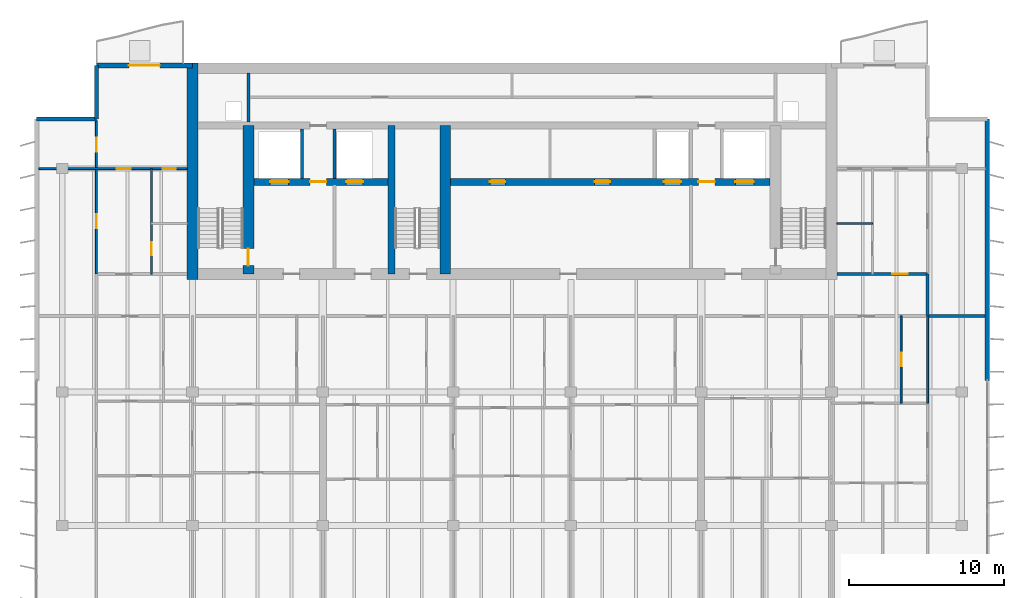
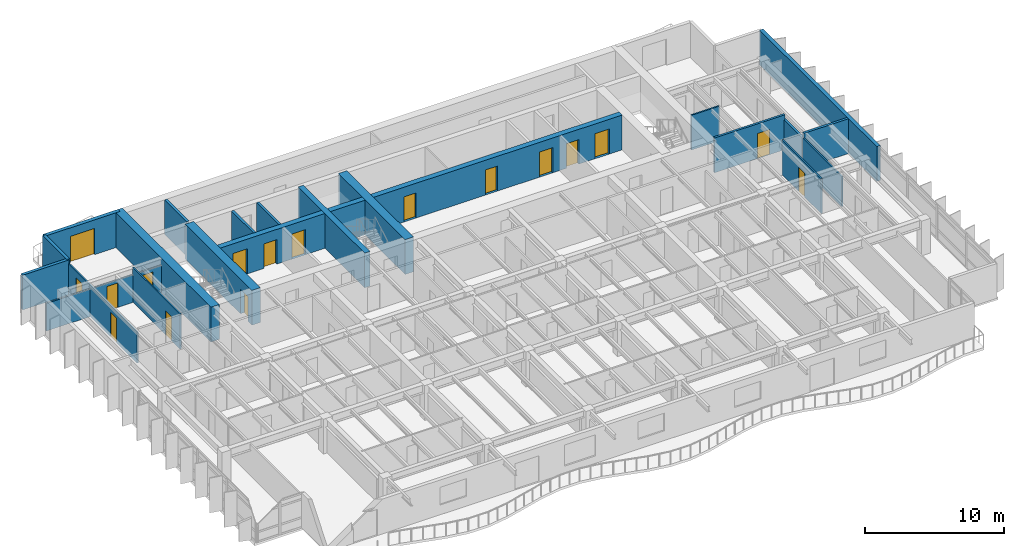
# One storey, part 11 of 17: 21 walls, 17 doors, 17 openings.
"""IFC4 building model written with IfcOpenShell, lengths in metres."""

from ifc_helpers import new_model, si_unit, direction, frame, frame_2d, origin, place, context, subcontext, project, spatial, rectangle, extrude, material, layer, layer_set, type_object, element, fill, save


model = new_model("IFC4")

# Units and contexts
model_context = context("Model", 3, precision=1e-05, world=origin(), true_north=direction((0.0, 1.0)))
body_context = subcontext(model_context, "Body", "Model", "MODEL_VIEW")
ifc_project = project(units=[si_unit("LENGTHUNIT", "METRE"), si_unit("AREAUNIT", "SQUARE_METRE"), si_unit("VOLUMEUNIT", "CUBIC_METRE"), si_unit("PLANEANGLEUNIT", "RADIAN"), si_unit("MASSUNIT", "GRAM", prefix="KILO")], contexts=[model_context])

# Site, building, storey
site_placement = place(None, origin())
site = spatial("IfcSite", under=ifc_project, at=site_placement, CompositionType="ELEMENT")
building_placement = place(site_placement, origin())
building = spatial("IfcBuilding", under=site, at=building_placement, Name="Caelmar Bay Residences", CompositionType="ELEMENT")
storey_placement = place(building_placement, frame((0.0, 0.0, 259.5)))
storey = spatial("IfcBuildingStorey", under=building, at=storey_placement, Name="L73", CompositionType="ELEMENT", Elevation=259.5)

# Wall
ifc_material_1 = material(Name="Concrete f'c 55 MPa (8,000 psi)", Category="concrete")
ifc_layer_1 = layer(ifc_material_1, 0.699951171875)
ifc_layer_set_1 = layer_set([ifc_layer_1], Name="Concrete f'c 55 MPa (8,000 psi)")
wall_type_1 = type_object("IfcWallType", Name="SW-COR-700", PredefinedType="SHEAR", material=ifc_layer_set_1)
wall_1_placement = place(storey_placement, frame((18.300048828125, 36.64990234375, 0.0), z_axis=(0.0, 0.0, 1.0), x_axis=(0.0, 1.0, 0.0)))
element("IfcWall", 1, at=wall_1_placement, inside=storey, type_object=wall_type_1, Name="L73 Rear Core West Shear Wall", PredefinedType="SHEAR", context=body_context, shape_type="SweptSolid", body=[
    extrude(rectangle(XDim=13.9501953125, YDim=0.699951171875, at=frame_2d((6.97509765625, 0.0))), origin(), (0.0, 0.0, 1.0), 3.050048828125),
])

# Wall, opening, door
wall_2_placement = place(storey_placement, frame((21.89990234375, 37.0, 0.0), z_axis=(0.0, 0.0, 1.0), x_axis=(0.0, 1.0, 0.0)))
wall_2 = element("IfcWall", 2, at=wall_2_placement, inside=storey, type_object=wall_type_1, Name="L73 Core Structural Web Wall ST1E", PredefinedType="SHEAR", context=body_context, shape_type="SweptSolid", body=[
    extrude(rectangle(XDim=9.574951171875, YDim=0.699951171875, at=frame_2d((4.78759765625, 0.0))), origin(), (0.0, 0.0, 1.0), 3.050048828125),
])
opening_1_placement = place(wall_2_placement, frame((0.550048828125, 0.0, 0.0)))
opening_1 = element("IfcOpeningElement", 3, at=opening_1_placement, cuts=wall_2, Name="Opening D-L73-107", PredefinedType="OPENING", context=body_context, shape_type="SweptSolid", body=[
    extrude(rectangle(XDim=1.10009765625, YDim=2.14990234375, at=frame_2d((0.550048828125, 1.074951171875))), frame((0.0, 0.35986328125, 0.0), z_axis=(0.0, -1.0, 0.0), x_axis=(1.0, 0.0, 0.0)), (0.0, 0.0, 1.0), 0.719970703125),
])
ifc_material_2 = material(Name="Fire-rated steel and walnut architectural door assembly", Category="steel")
ifc_layer_2 = layer(ifc_material_2, 0.050048828125)
ifc_layer_set_2 = layer_set([ifc_layer_2], Name="Fire-rated steel and walnut architectural door assembly")
door_type_1 = type_object("IfcDoorType", Name="D-STAIR-1100", OperationType="NOTDEFINED", PredefinedType="DOOR", material=ifc_layer_set_2)
door_1_placement = place(opening_1_placement, origin())
door_1 = element("IfcDoor", 4, at=door_1_placement, inside=storey, type_object=door_type_1, Name="L73 Firefighting Lobby West Door", OperationType="SINGLE_SWING_RIGHT", OverallHeight=2.14990234375, OverallWidth=1.10009765625, PredefinedType="DOOR", context=body_context, shape_type="SweptSolid", body=[
    extrude(rectangle(XDim=1.10009765625, YDim=2.14990234375, at=frame_2d((0.550048828125, 1.074951171875))), frame((0.0, 0.02490234375, 0.0), z_axis=(0.0, -1.0, 0.0), x_axis=(1.0, 0.0, 0.0)), (0.0, 0.0, 1.0), 0.050048828125),
])
fill(opening_1, door_1)

# Walls
wall_3_placement = place(storey_placement, frame((34.60009765625, 37.0, 0.0), z_axis=(0.0, 0.0, 1.0), x_axis=(0.0, 1.0, 0.0)))
element("IfcWall", 5, at=wall_3_placement, inside=storey, type_object=wall_type_1, Name="L73 Core Structural Web Wall ST3E", PredefinedType="SHEAR", context=body_context, shape_type="SweptSolid", body=[
    extrude(rectangle(XDim=9.574951171875, YDim=0.699951171875, at=frame_2d((4.78759765625, 0.0))), origin(), (0.0, 0.0, 1.0), 3.050048828125),
])
ifc_material_3 = material(Name="Concrete f'c 70 MPa (10,000 psi)", Category="concrete")
ifc_layer_3 = layer(ifc_material_3, 0.449951171875)
ifc_layer_set_3 = layer_set([ifc_layer_3], Name="Concrete f'c 70 MPa (10,000 psi)")
wall_type_2 = type_object("IfcWallType", Name="SW-WEB-450", PredefinedType="SHEAR", material=ifc_layer_set_3)
wall_4_placement = place(storey_placement, frame((31.125, 37.0, 0.0), z_axis=(0.0, 0.0, 1.0), x_axis=(0.0, 1.0, 0.0)))
element("IfcWall", 6, at=wall_4_placement, inside=storey, type_object=wall_type_2, Name="L73 Core Structural Web Wall ST3W", PredefinedType="SHEAR", context=body_context, shape_type="SweptSolid", body=[
    extrude(rectangle(XDim=9.574951171875, YDim=0.449951171875, at=frame_2d((4.78759765625, 0.0))), origin(), (0.0, 0.0, 1.0), 3.050048828125),
])

# Wall, openings, doors
wall_5_placement = place(storey_placement, frame((22.25, 42.949951171875, 0.0), z_axis=(0.0, 0.0, 1.0), x_axis=(1.0, 0.0, 0.0)))
wall_5 = element("IfcWall", 7, at=wall_5_placement, inside=storey, type_object=wall_type_2, Name="L73 Core Structural Web Wall LFR", PredefinedType="SHEAR", context=body_context, shape_type="SweptSolid", body=[
    extrude(rectangle(XDim=33.300048828125, YDim=0.449951171875, at=frame_2d((16.64990234375, 0.0))), origin(), (0.0, 0.0, 1.0), 3.050048828125),
])
opening_2_placement = place(wall_5_placement, frame((1.050048828125, 0.0, 0.0)))
opening_2 = element("IfcOpeningElement", 8, at=opening_2_placement, cuts=wall_5, Name="Opening LD2", PredefinedType="OPENING", context=body_context, shape_type="SweptSolid", body=[
    extrude(rectangle(XDim=1.199951171875, YDim=2.199951171875, at=frame_2d((0.60009765625, 1.10009765625))), frame((0.0, 0.23486328125, 0.0), z_axis=(0.0, -1.0, 0.0), x_axis=(1.0, 0.0, 0.0)), (0.0, 0.0, 1.0), 0.469970703125),
])
opening_3_placement = place(wall_5_placement, frame((31.050048828125, 0.0, 0.0)))
opening_3 = element("IfcOpeningElement", 9, at=opening_3_placement, cuts=wall_5, Name="Opening LD2", PredefinedType="OPENING", context=body_context, shape_type="SweptSolid", body=[
    extrude(rectangle(XDim=1.199951171875, YDim=2.199951171875, at=frame_2d((0.60009765625, 1.10009765625))), frame((0.0, 0.23486328125, 0.0), z_axis=(0.0, -1.0, 0.0), x_axis=(1.0, 0.0, 0.0)), (0.0, 0.0, 1.0), 0.469970703125),
])
opening_4_placement = place(wall_5_placement, frame((26.449951171875, 0.0, 0.0)))
opening_4 = element("IfcOpeningElement", 10, at=opening_4_placement, cuts=wall_5, Name="Opening LD1", PredefinedType="OPENING", context=body_context, shape_type="SweptSolid", body=[
    extrude(rectangle(XDim=1.10009765625, YDim=2.199951171875, at=frame_2d((0.550048828125, 1.10009765625))), frame((0.0, 0.23486328125, 0.0), z_axis=(0.0, -1.0, 0.0), x_axis=(1.0, 0.0, 0.0)), (0.0, 0.0, 1.0), 0.469970703125),
])
opening_5_placement = place(wall_5_placement, frame((5.949951171875, 0.0, 0.0)))
opening_5 = element("IfcOpeningElement", 11, at=opening_5_placement, cuts=wall_5, Name="Opening LD1", PredefinedType="OPENING", context=body_context, shape_type="SweptSolid", body=[
    extrude(rectangle(XDim=1.10009765625, YDim=2.199951171875, at=frame_2d((0.550048828125, 1.10009765625))), frame((0.0, 0.23486328125, 0.0), z_axis=(0.0, -1.0, 0.0), x_axis=(1.0, 0.0, 0.0)), (0.0, 0.0, 1.0), 0.469970703125),
])
opening_6_placement = place(wall_5_placement, frame((3.625, 0.0, 0.0)))
opening_6 = element("IfcOpeningElement", 12, at=opening_6_placement, cuts=wall_5, Name="Opening D-L73-108", PredefinedType="OPENING", context=body_context, shape_type="SweptSolid", body=[
    extrude(rectangle(XDim=1.050048828125, YDim=2.14990234375, at=frame_2d((0.52490234375, 1.074951171875))), frame((0.0, 0.23486328125, 0.0), z_axis=(0.0, -1.0, 0.0), x_axis=(1.0, 0.0, 0.0)), (0.0, 0.0, 1.0), 0.469970703125),
])
opening_7_placement = place(wall_5_placement, frame((28.675048828125, 0.0, 0.0)))
opening_7 = element("IfcOpeningElement", 13, at=opening_7_placement, cuts=wall_5, Name="Opening D-L73-111", PredefinedType="OPENING", context=body_context, shape_type="SweptSolid", body=[
    extrude(rectangle(XDim=1.050048828125, YDim=2.14990234375, at=frame_2d((0.52490234375, 1.074951171875))), frame((0.0, 0.23486328125, 0.0), z_axis=(0.0, -1.0, 0.0), x_axis=(1.0, 0.0, 0.0)), (0.0, 0.0, 1.0), 0.469970703125),
])
opening_8_placement = place(wall_5_placement, frame((15.22509765625, 0.0, 0.0)))
opening_8 = element("IfcOpeningElement", 14, at=opening_8_placement, cuts=wall_5, Name="Opening D-L73-114", PredefinedType="OPENING", context=body_context, shape_type="SweptSolid", body=[
    extrude(rectangle(XDim=1.0, YDim=2.199951171875, at=frame_2d((0.5, 1.10009765625))), frame((0.0, 0.23486328125, 0.0), z_axis=(0.0, -1.0, 0.0), x_axis=(1.0, 0.0, 0.0)), (0.0, 0.0, 1.0), 0.469970703125),
])
opening_9_placement = place(wall_5_placement, frame((21.97509765625, 0.0, 0.0)))
opening_9 = element("IfcOpeningElement", 15, at=opening_9_placement, cuts=wall_5, Name="Opening D-L73-115", PredefinedType="OPENING", context=body_context, shape_type="SweptSolid", body=[
    extrude(rectangle(XDim=1.0, YDim=2.199951171875, at=frame_2d((0.5, 1.10009765625))), frame((0.0, 0.23486328125, 0.0), z_axis=(0.0, -1.0, 0.0), x_axis=(1.0, 0.0, 0.0)), (0.0, 0.0, 1.0), 0.469970703125),
])
ifc_layer_4 = layer(ifc_material_2, 0.050048828125)
ifc_layer_set_4 = layer_set([ifc_layer_4], Name="Fire-rated steel and walnut architectural door assembly")
door_type_2 = type_object("IfcDoorType", Name="D-FSAE-1050", OperationType="NOTDEFINED", PredefinedType="DOOR", material=ifc_layer_set_4)
door_2_placement = place(opening_6_placement, origin())
door_2 = element("IfcDoor", 16, at=door_2_placement, inside=storey, type_object=door_type_2, Name="L73 Firefighting Lobby West Door", OperationType="SINGLE_SWING_LEFT", OverallHeight=2.14990234375, OverallWidth=1.050048828125, PredefinedType="DOOR", context=body_context, shape_type="SweptSolid", body=[
    extrude(rectangle(XDim=1.050048828125, YDim=2.14990234375, at=frame_2d((0.52490234375, 1.074951171875))), frame((0.0, 0.02490234375, 0.0), z_axis=(0.0, -1.0, 0.0), x_axis=(1.0, 0.0, 0.0)), (0.0, 0.0, 1.0), 0.050048828125),
])
fill(opening_6, door_2)
door_3_placement = place(opening_7_placement, origin())
door_3 = element("IfcDoor", 17, at=door_3_placement, inside=storey, type_object=door_type_2, Name="L73 Firefighting Lobby East Door", OperationType="SINGLE_SWING_RIGHT", OverallHeight=2.14990234375, OverallWidth=1.050048828125, PredefinedType="DOOR", context=body_context, shape_type="SweptSolid", body=[
    extrude(rectangle(XDim=1.050048828125, YDim=2.14990234375, at=frame_2d((0.52490234375, 1.074951171875))), frame((0.0, 0.02490234375, 0.0), z_axis=(0.0, -1.0, 0.0), x_axis=(1.0, 0.0, 0.0)), (0.0, 0.0, 1.0), 0.050048828125),
])
fill(opening_7, door_3)
ifc_material_4 = material(Name="Brushed bronze stainless-steel fire-rated lift landing doors", Category="steel")
ifc_layer_5 = layer(ifc_material_4, 0.050048828125)
ifc_layer_set_5 = layer_set([ifc_layer_5], Name="Brushed bronze stainless-steel fire-rated lift landing doors")
door_type_3 = type_object("IfcDoorType", Name="D-LND-1100", OperationType="DOUBLE_DOOR_SLIDING", PredefinedType="DOOR", material=ifc_layer_set_5)
door_4_placement = place(opening_4_placement, origin())
door_4 = element("IfcDoor", 18, at=door_4_placement, inside=storey, type_object=door_type_3, Name="L73 LP6 Sliding Landing Door", OperationType="DOUBLE_DOOR_SLIDING", OverallHeight=2.199951171875, OverallWidth=1.10009765625, PredefinedType="DOOR", context=body_context, shape_type="SweptSolid", body=[
    extrude(rectangle(XDim=1.10009765625, YDim=2.199951171875, at=frame_2d((0.550048828125, 1.10009765625))), frame((0.0, 0.02490234375, 0.0), z_axis=(0.0, -1.0, 0.0), x_axis=(1.0, 0.0, 0.0)), (0.0, 0.0, 1.0), 0.050048828125),
])
fill(opening_4, door_4)
door_5_placement = place(opening_5_placement, origin())
door_5 = element("IfcDoor", 19, at=door_5_placement, inside=storey, type_object=door_type_3, Name="L73 LP7 Sliding Landing Door", OperationType="DOUBLE_DOOR_SLIDING", OverallHeight=2.199951171875, OverallWidth=1.10009765625, PredefinedType="DOOR", context=body_context, shape_type="SweptSolid", body=[
    extrude(rectangle(XDim=1.10009765625, YDim=2.199951171875, at=frame_2d((0.550048828125, 1.10009765625))), frame((0.0, 0.02490234375, 0.0), z_axis=(0.0, -1.0, 0.0), x_axis=(1.0, 0.0, 0.0)), (0.0, 0.0, 1.0), 0.050048828125),
])
fill(opening_5, door_5)
ifc_material_5 = material(Name="Brushed stainless-steel FSAE sliding landing door", Category="steel")
ifc_layer_6 = layer(ifc_material_5, 0.050048828125)
ifc_layer_set_6 = layer_set([ifc_layer_6], Name="Brushed stainless-steel FSAE sliding landing door")
door_type_4 = type_object("IfcDoorType", Name="D-LND-1200", OperationType="DOUBLE_DOOR_SLIDING", PredefinedType="DOOR", material=ifc_layer_set_6)
door_6_placement = place(opening_2_placement, origin())
door_6 = element("IfcDoor", 20, at=door_6_placement, inside=storey, type_object=door_type_4, Name="L73 LF1 Sliding Landing Door", OperationType="DOUBLE_DOOR_SLIDING", OverallHeight=2.199951171875, OverallWidth=1.199951171875, PredefinedType="DOOR", context=body_context, shape_type="SweptSolid", body=[
    extrude(rectangle(XDim=1.199951171875, YDim=2.199951171875, at=frame_2d((0.60009765625, 1.10009765625))), frame((0.0, 0.02490234375, 0.0), z_axis=(0.0, -1.0, 0.0), x_axis=(1.0, 0.0, 0.0)), (0.0, 0.0, 1.0), 0.050048828125),
])
fill(opening_2, door_6)
door_7_placement = place(opening_3_placement, origin())
door_7 = element("IfcDoor", 21, at=door_7_placement, inside=storey, type_object=door_type_4, Name="L73 LF2 Sliding Landing Door", OperationType="DOUBLE_DOOR_SLIDING", OverallHeight=2.199951171875, OverallWidth=1.199951171875, PredefinedType="DOOR", context=body_context, shape_type="SweptSolid", body=[
    extrude(rectangle(XDim=1.199951171875, YDim=2.199951171875, at=frame_2d((0.60009765625, 1.10009765625))), frame((0.0, 0.02490234375, 0.0), z_axis=(0.0, -1.0, 0.0), x_axis=(1.0, 0.0, 0.0)), (0.0, 0.0, 1.0), 0.050048828125),
])
fill(opening_3, door_7)
ifc_layer_7 = layer(ifc_material_2, 0.050048828125)
ifc_layer_set_7 = layer_set([ifc_layer_7], Name="Fire-rated steel and walnut architectural door assembly")
door_type_5 = type_object("IfcDoorType", Name="D-UNIT-1000", OperationType="NOTDEFINED", PredefinedType="DOOR", material=ifc_layer_set_7)
door_8_placement = place(opening_8_placement, origin())
door_8 = element("IfcDoor", 22, at=door_8_placement, inside=storey, type_object=door_type_5, Name="L73 Collector Study Door", OperationType="SINGLE_SWING_LEFT", OverallHeight=2.199951171875, OverallWidth=1.0, PredefinedType="DOOR", context=body_context, shape_type="SweptSolid", body=[
    extrude(rectangle(XDim=1.0, YDim=2.199951171875, at=frame_2d((0.5, 1.10009765625))), frame((0.0, 0.02490234375, 0.0), z_axis=(0.0, -1.0, 0.0), x_axis=(1.0, 0.0, 0.0)), (0.0, 0.0, 1.0), 0.050048828125),
])
fill(opening_8, door_8)
door_9_placement = place(opening_9_placement, origin())
door_9 = element("IfcDoor", 23, at=door_9_placement, inside=storey, type_object=door_type_5, Name="L73 Private Dining Room Door", OperationType="SINGLE_SWING_RIGHT", OverallHeight=2.199951171875, OverallWidth=1.0, PredefinedType="DOOR", context=body_context, shape_type="SweptSolid", body=[
    extrude(rectangle(XDim=1.0, YDim=2.199951171875, at=frame_2d((0.5, 1.10009765625))), frame((0.0, 0.02490234375, 0.0), z_axis=(0.0, -1.0, 0.0), x_axis=(1.0, 0.0, 0.0)), (0.0, 0.0, 1.0), 0.050048828125),
])
fill(opening_9, door_9)

# Wall
ifc_material_6 = material(Name="Double-stud acoustic fire-rated gypsum partition 180 mm")
ifc_layer_8 = layer(ifc_material_6, 0.179931640625)
ifc_layer_set_8 = layer_set([ifc_layer_8], Name="Double-stud acoustic fire-rated gypsum partition 180 mm")
wall_type_3 = type_object("IfcWallType", Name="W-COR-200", PredefinedType="PARTITIONING", material=ifc_layer_set_8)
wall_6_placement = place(storey_placement, frame((65.699951171875, 34.304931640625, 0.0), z_axis=(0.0, 0.0, 1.0), x_axis=(0.0, 1.0, 0.0)))
element("IfcWall", 24, at=wall_6_placement, inside=storey, type_object=wall_type_3, Name="L73 Partition Wall V067", PredefinedType="PARTITIONING", context=body_context, shape_type="SweptSolid", body=[
    extrude(rectangle(XDim=2.695068359375, YDim=0.179931640625, at=frame_2d((1.34765625, 0.0))), origin(), (0.0, 0.0, 1.0), 2.62890625),
])

# Wall, opening, door
wall_7_placement = place(storey_placement, frame((59.85498046875, 37.0, 0.0), z_axis=(0.0, 0.0, 1.0), x_axis=(1.0, 0.0, 0.0)))
wall_7 = element("IfcWall", 25, at=wall_7_placement, inside=storey, type_object=wall_type_3, Name="L73 Partition Wall H090", PredefinedType="PARTITIONING", context=body_context, shape_type="SweptSolid", body=[
    extrude(rectangle(XDim=5.844970703125, YDim=0.179931640625, at=frame_2d((2.92236328125, 0.0))), origin(), (0.0, 0.0, 1.0), 3.050048828125),
])
opening_10_placement = place(wall_7_placement, frame((3.570068359375, 0.0, 0.0)))
opening_10 = element("IfcOpeningElement", 26, at=opening_10_placement, cuts=wall_7, Name="Opening D-L73-164", PredefinedType="OPENING", context=body_context, shape_type="SweptSolid", body=[
    extrude(rectangle(XDim=1.0, YDim=2.199951171875, at=frame_2d((0.5, 1.10009765625))), frame((0.0, 0.099853515625, 0.0), z_axis=(0.0, -1.0, 0.0), x_axis=(1.0, 0.0, 0.0)), (0.0, 0.0, 1.0), 0.199951171875),
])
door_10_placement = place(opening_10_placement, origin())
door_10 = element("IfcDoor", 27, at=door_10_placement, inside=storey, type_object=door_type_5, Name="L73 Residence EA Kitchen Door", OperationType="SINGLE_SWING_LEFT", OverallHeight=2.199951171875, OverallWidth=1.0, PredefinedType="DOOR", context=body_context, shape_type="SweptSolid", body=[
    extrude(rectangle(XDim=1.0, YDim=2.199951171875, at=frame_2d((0.5, 1.10009765625))), frame((0.0, 0.02490234375, 0.0), z_axis=(0.0, -1.0, 0.0), x_axis=(1.0, 0.0, 0.0)), (0.0, 0.0, 1.0), 0.050048828125),
])
fill(opening_10, door_10)

# Walls
ifc_material_7 = material(Name="Precast concrete f'c 40 MPa (6,000 psi)", Category="concrete")
ifc_layer_9 = layer(ifc_material_7, 0.25)
ifc_layer_set_9 = layer_set([ifc_layer_9], Name="Precast concrete f'c 40 MPa (6,000 psi)")
wall_type_4 = type_object("IfcWallType", Name="W-EXT-250", PredefinedType="ELEMENTEDWALL", material=ifc_layer_set_9)
wall_8_placement = place(storey_placement, frame((8.25, 47.0, 0.0), z_axis=(0.0, 0.0, 1.0), x_axis=(1.0, 0.0, 0.0)))
element("IfcWall", 28, at=wall_8_placement, inside=storey, type_object=wall_type_4, Name="L73 NNW-H Notch Wall", PredefinedType="ELEMENTEDWALL", context=body_context, shape_type="SweptSolid", body=[
    extrude(rectangle(XDim=3.85009765625, YDim=0.25, at=frame_2d((1.925048828125, 0.0))), origin(), (0.0, 0.0, 1.0), 3.050048828125),
])
wall_9_placement = place(storey_placement, frame((12.10009765625, 47.0, 0.0), z_axis=(0.0, 0.0, 1.0), x_axis=(0.0, 1.0, 0.0)))
element("IfcWall", 29, at=wall_9_placement, inside=storey, type_object=wall_type_4, Name="L73 NNW-V Notch Wall", PredefinedType="ELEMENTEDWALL", context=body_context, shape_type="SweptSolid", body=[
    extrude(rectangle(XDim=3.449951171875, YDim=0.25, at=frame_2d((1.72509765625, 0.0))), origin(), (0.0, 0.0, 1.0), 3.050048828125),
])
ifc_layer_10 = layer(ifc_material_7, 0.300048828125)
ifc_layer_set_10 = layer_set([ifc_layer_10], Name="Precast concrete f'c 40 MPa (6,000 psi)")
wall_type_5 = type_object("IfcWallType", Name="W-EXT-300", PredefinedType="STANDARD", material=ifc_layer_set_10)
wall_10_placement = place(storey_placement, frame((69.550048828125, 47.0, 0.0), z_axis=(0.0, 0.0, 1.0), x_axis=(0.0, -1.0, 0.0)))
element("IfcWall", 30, at=wall_10_placement, inside=storey, type_object=wall_type_5, Name="L73 East Rear Exterior Wall", PredefinedType="STANDARD", context=body_context, shape_type="SweptSolid", body=[
    extrude(rectangle(XDim=16.85009765625, YDim=0.300048828125, at=frame_2d((8.425048828125, 0.0))), origin(), (0.0, 0.0, 1.0), 3.050048828125),
])

# Wall, opening, door
wall_11_placement = place(storey_placement, frame((12.10009765625, 50.449951171875, 0.0), z_axis=(0.0, 0.0, 1.0), x_axis=(1.0, 0.0, 0.0)))
wall_11 = element("IfcWall", 31, at=wall_11_placement, inside=storey, type_object=wall_type_5, Name="L73 North-West Wing Exterior Wall", PredefinedType="STANDARD", context=body_context, shape_type="SweptSolid", body=[
    extrude(rectangle(XDim=6.199951171875, YDim=0.300048828125, at=frame_2d((3.10009765625, 0.0))), origin(), (0.0, 0.0, 1.0), 3.050048828125),
])
opening_11_placement = place(wall_11_placement, frame((2.10009765625, 0.0, 0.0)))
opening_11 = element("IfcOpeningElement", 32, at=opening_11_placement, cuts=wall_11, Name="Opening L73-BDNW", PredefinedType="OPENING", context=body_context, shape_type="SweptSolid", body=[
    extrude(rectangle(XDim=2.0, YDim=2.300048828125, at=frame_2d((1.0, 1.14990234375))), frame((0.0, 0.159912109375, 0.0), z_axis=(0.0, -1.0, 0.0), x_axis=(1.0, 0.0, 0.0)), (0.0, 0.0, 1.0), 0.320068359375),
])
ifc_material_8 = material(Name="Anodised bronze thermally broken sliding glass door", Category="glass")
ifc_layer_11 = layer(ifc_material_8, 0.050048828125)
ifc_layer_set_11 = layer_set([ifc_layer_11], Name="Anodised bronze thermally broken sliding glass door")
door_type_6 = type_object("IfcDoorType", Name="D-BAL-2000", OperationType="DOUBLE_DOOR_SLIDING", PredefinedType="DOOR", material=ifc_layer_set_11)
door_11_placement = place(opening_11_placement, origin())
door_11 = element("IfcDoor", 33, at=door_11_placement, inside=storey, type_object=door_type_6, Name="L73 North-West Balcony Door", OperationType="DOUBLE_DOOR_SLIDING", OverallHeight=2.300048828125, OverallWidth=2.0, PredefinedType="DOOR", context=body_context, shape_type="SweptSolid", body=[
    extrude(rectangle(XDim=2.0, YDim=2.300048828125, at=frame_2d((1.0, 1.14990234375))), frame((0.0, 0.02490234375, 0.0), z_axis=(0.0, -1.0, 0.0), x_axis=(1.0, 0.0, 0.0)), (0.0, 0.0, 1.0), 0.050048828125),
])
fill(opening_11, door_11)

# Walls
ifc_material_9 = material(Name="Fire-rated masonry and gypsum shaftliner assembly 200 mm", Category="masonry")
ifc_layer_12 = layer(ifc_material_9, 0.199951171875)
ifc_layer_set_12 = layer_set([ifc_layer_12], Name="Fire-rated masonry and gypsum shaftliner assembly 200 mm")
wall_type_6 = type_object("IfcWallType", Name="W-FSAE-200", PredefinedType="PARTITIONING", material=ifc_layer_set_12)
wall_12_placement = place(storey_placement, frame((21.89990234375, 46.794921875, 0.0), z_axis=(0.0, 0.0, 1.0), x_axis=(0.0, 1.0, 0.0)))
element("IfcWall", 34, at=wall_12_placement, inside=storey, type_object=wall_type_6, Name="L73 Partition Wall V014", PredefinedType="PARTITIONING", context=body_context, shape_type="SweptSolid", body=[
    extrude(rectangle(XDim=3.16015625, YDim=0.199951171875, at=frame_2d((1.580078125, 0.0))), origin(), (0.0, 0.0, 1.0), 3.050048828125),
])
for number, where, z_axis, x_axis, name in (
    (35, (25.35009765625, 43.169921875, 0.0), (0.0, 0.0, 1.0), (0.0, 1.0, 0.0), "L73 Partition Wall V016"),
    (36, (27.449951171875, 43.169921875, 0.0), (0.0, 0.0, 1.0), (0.0, 1.0, 0.0), "L73 Partition Wall V021"),
):
    element("IfcWall", number, at=place(storey_placement, frame(where, z_axis=z_axis, x_axis=x_axis)), inside=storey, type_object=wall_type_6, Name=name, PredefinedType="PARTITIONING", context=body_context, shape_type="SweptSolid", body=[
        extrude(rectangle(XDim=3.18505859375, YDim=0.199951171875, at=frame_2d((1.592529296875, 0.0))), origin(), (0.0, 0.0, 1.0), 3.050048828125),
    ])

# Wall, openings, doors
ifc_material_10 = material(Name="Acoustic metal-stud gypsum partition 120 mm")
ifc_layer_13 = layer(ifc_material_10, 0.1201171875)
ifc_layer_set_13 = layer_set([ifc_layer_13], Name="Acoustic metal-stud gypsum partition 120 mm")
wall_type_7 = type_object("IfcWallType", Name="W-PRT-120", PredefinedType="PARTITIONING", material=ifc_layer_set_13)
wall_13_placement = place(storey_placement, frame((12.10009765625, 37.0048828125, 0.0), z_axis=(0.0, 0.0, 1.0), x_axis=(0.0, 1.0, 0.0)))
wall_13 = element("IfcWall", 37, at=wall_13_placement, inside=storey, type_object=wall_type_7, Name="L73 Partition Wall V006", PredefinedType="PARTITIONING", context=body_context, shape_type="SweptSolid", body=[
    extrude(rectangle(XDim=9.875, YDim=0.1201171875, at=frame_2d((4.9375, 0.0))), origin(), (0.0, 0.0, 1.0), 2.72509765625),
])
opening_12_placement = place(wall_13_placement, frame((2.947509765625, 0.0, 0.0)))
opening_12 = element("IfcOpeningElement", 38, at=opening_12_placement, cuts=wall_13, Name="Opening D-L73-162", PredefinedType="OPENING", context=body_context, shape_type="SweptSolid", body=[
    extrude(rectangle(XDim=0.89990234375, YDim=2.14990234375, at=frame_2d((0.449951171875, 1.074951171875))), frame((0.0, 0.070068359375, 0.0), z_axis=(0.0, -1.0, 0.0), x_axis=(1.0, 0.0, 0.0)), (0.0, 0.0, 1.0), 0.14013671875),
])
opening_13_placement = place(wall_13_placement, frame((7.885009765625, 0.0, 0.0)))
opening_13 = element("IfcOpeningElement", 39, at=opening_13_placement, cuts=wall_13, Name="Opening D-L73-163", PredefinedType="OPENING", context=body_context, shape_type="SweptSolid", body=[
    extrude(rectangle(XDim=0.89990234375, YDim=2.14990234375, at=frame_2d((0.449951171875, 1.074951171875))), frame((0.0, 0.070068359375, 0.0), z_axis=(0.0, -1.0, 0.0), x_axis=(1.0, 0.0, 0.0)), (0.0, 0.0, 1.0), 0.14013671875),
])
ifc_material_11 = material(Name="Solid walnut timber interior door leaf and frame", Category="wood")
ifc_layer_14 = layer(ifc_material_11, 0.050048828125)
ifc_layer_set_14 = layer_set([ifc_layer_14], Name="Solid walnut timber interior door leaf and frame")
door_type_7 = type_object("IfcDoorType", Name="D-ROOM-900", OperationType="NOTDEFINED", PredefinedType="DOOR", material=ifc_layer_set_14)
door_12_placement = place(opening_12_placement, origin())
door_12 = element("IfcDoor", 40, at=door_12_placement, inside=storey, type_object=door_type_7, Name="L73 Residence WA Sun Study Door", OperationType="SINGLE_SWING_LEFT", OverallHeight=2.14990234375, OverallWidth=0.89990234375, PredefinedType="DOOR", context=body_context, shape_type="SweptSolid", body=[
    extrude(rectangle(XDim=0.89990234375, YDim=2.14990234375, at=frame_2d((0.449951171875, 1.074951171875))), frame((0.0, 0.02490234375, 0.0), z_axis=(0.0, -1.0, 0.0), x_axis=(1.0, 0.0, 0.0)), (0.0, 0.0, 1.0), 0.050048828125),
])
fill(opening_12, door_12)
door_13_placement = place(opening_13_placement, origin())
door_13 = element("IfcDoor", 41, at=door_13_placement, inside=storey, type_object=door_type_7, Name="L73 Residence WA North Sitting Alcove Door", OperationType="SINGLE_SWING_RIGHT", OverallHeight=2.14990234375, OverallWidth=0.89990234375, PredefinedType="DOOR", context=body_context, shape_type="SweptSolid", body=[
    extrude(rectangle(XDim=0.89990234375, YDim=2.14990234375, at=frame_2d((0.449951171875, 1.074951171875))), frame((0.0, 0.02490234375, 0.0), z_axis=(0.0, -1.0, 0.0), x_axis=(1.0, 0.0, 0.0)), (0.0, 0.0, 1.0), 0.050048828125),
])
fill(opening_13, door_13)

# Wall, opening, door
wall_14_placement = place(storey_placement, frame((15.64990234375, 37.0, 0.0), z_axis=(0.0, 0.0, 1.0), x_axis=(0.0, 1.0, 0.0)))
wall_14 = element("IfcWall", 42, at=wall_14_placement, inside=storey, type_object=wall_type_7, Name="L73 Partition Wall V007", PredefinedType="PARTITIONING", context=body_context, shape_type="SweptSolid", body=[
    extrude(rectangle(XDim=6.800048828125, YDim=0.1201171875, at=frame_2d((3.39990234375, 0.0))), origin(), (0.0, 0.0, 1.0), 3.050048828125),
])
opening_14_placement = place(wall_14_placement, frame((1.20703125, 0.0, 0.0)))
opening_14 = element("IfcOpeningElement", 43, at=opening_14_placement, cuts=wall_14, Name="Opening D-L73-160", PredefinedType="OPENING", context=body_context, shape_type="SweptSolid", body=[
    extrude(rectangle(XDim=0.85009765625, YDim=2.10009765625, at=frame_2d((0.425048828125, 1.050048828125))), frame((0.0, 0.070068359375, 0.0), z_axis=(0.0, -1.0, 0.0), x_axis=(1.0, 0.0, 0.0)), (0.0, 0.0, 1.0), 0.14013671875),
])
ifc_layer_15 = layer(ifc_material_11, 0.050048828125)
ifc_layer_set_15 = layer_set([ifc_layer_15], Name="Solid walnut timber interior door leaf and frame")
door_type_8 = type_object("IfcDoorType", Name="D-BATH-850", OperationType="NOTDEFINED", PredefinedType="DOOR", material=ifc_layer_set_15)
door_14_placement = place(opening_14_placement, origin())
door_14 = element("IfcDoor", 44, at=door_14_placement, inside=storey, type_object=door_type_8, Name="L73 Residence WA Walk-In Closet Door", OperationType="SINGLE_SWING_LEFT", OverallHeight=2.10009765625, OverallWidth=0.85009765625, PredefinedType="DOOR", context=body_context, shape_type="SweptSolid", body=[
    extrude(rectangle(XDim=0.85009765625, YDim=2.10009765625, at=frame_2d((0.425048828125, 1.050048828125))), frame((0.0, 0.02490234375, 0.0), z_axis=(0.0, -1.0, 0.0), x_axis=(1.0, 0.0, 0.0)), (0.0, 0.0, 1.0), 0.050048828125),
])
fill(opening_14, door_14)

wall_15_placement = place(storey_placement, frame((63.991943359375, 28.679931640625, 0.0), z_axis=(0.0, 0.0, 1.0), x_axis=(0.0, 1.0, 0.0)))
wall_15 = element("IfcWall", 45, at=wall_15_placement, inside=storey, type_object=wall_type_7, Name="L73 Partition Wall V062", PredefinedType="PARTITIONING", context=body_context, shape_type="SweptSolid", body=[
    extrude(rectangle(XDim=5.6201171875, YDim=0.1201171875, at=frame_2d((2.81005859375, 0.0))), origin(), (0.0, 0.0, 1.0), 3.050048828125),
])
opening_15_placement = place(wall_15_placement, frame((2.385009765625, 0.0, 0.0)))
opening_15 = element("IfcOpeningElement", 46, at=opening_15_placement, cuts=wall_15, Name="Opening D-L73-152", PredefinedType="OPENING", context=body_context, shape_type="SweptSolid", body=[
    extrude(rectangle(XDim=0.85009765625, YDim=2.10009765625, at=frame_2d((0.425048828125, 1.050048828125))), frame((0.0, 0.070068359375, 0.0), z_axis=(0.0, -1.0, 0.0), x_axis=(1.0, 0.0, 0.0)), (0.0, 0.0, 1.0), 0.14013671875),
])
door_15_placement = place(opening_15_placement, origin())
door_15 = element("IfcDoor", 47, at=door_15_placement, inside=storey, type_object=door_type_8, Name="L73 Residence 04 Bathroom Door", OperationType="SINGLE_SWING_LEFT", OverallHeight=2.10009765625, OverallWidth=0.85009765625, PredefinedType="DOOR", context=body_context, shape_type="SweptSolid", body=[
    extrude(rectangle(XDim=0.85009765625, YDim=2.10009765625, at=frame_2d((0.425048828125, 1.050048828125))), frame((0.0, 0.02490234375, 0.0), z_axis=(0.0, -1.0, 0.0), x_axis=(1.0, 0.0, 0.0)), (0.0, 0.0, 1.0), 0.050048828125),
])
fill(opening_15, door_15)

# Walls
wall_16_placement = place(storey_placement, frame((65.699951171875, 28.679931640625, 0.0), z_axis=(0.0, 0.0, 1.0), x_axis=(0.0, 1.0, 0.0)))
element("IfcWall", 48, at=wall_16_placement, inside=storey, type_object=wall_type_7, Name="L73 Partition Wall V066", PredefinedType="PARTITIONING", context=body_context, shape_type="SweptSolid", body=[
    extrude(rectangle(XDim=5.6201171875, YDim=0.1201171875, at=frame_2d((2.81005859375, 0.0))), origin(), (0.0, 0.0, 1.0), 2.62890625),
])
wall_17_placement = place(storey_placement, frame((59.844970703125, 40.263916015625, 0.0), z_axis=(0.0, 0.0, 1.0), x_axis=(1.0, 0.0, 0.0)))
element("IfcWall", 49, at=wall_17_placement, inside=storey, type_object=wall_type_7, Name="L73 Partition Wall H092", PredefinedType="PARTITIONING", context=body_context, shape_type="SweptSolid", body=[
    extrude(rectangle(XDim=2.304931640625, YDim=0.1201171875, at=frame_2d((1.15234375, 0.0))), origin(), (0.0, 0.0, 1.0), 3.050048828125),
])

# Wall, openings, doors
wall_18_placement = place(storey_placement, frame((8.39501953125, 43.800048828125, 0.0), z_axis=(0.0, 0.0, 1.0), x_axis=(1.0, 0.0, 0.0)))
wall_18 = element("IfcWall", 50, at=wall_18_placement, inside=storey, type_object=wall_type_7, Name="L73 Partition Wall H093", PredefinedType="PARTITIONING", context=body_context, shape_type="SweptSolid", body=[
    extrude(rectangle(XDim=9.56005859375, YDim=0.1201171875, at=frame_2d((4.780029296875, 0.0))), origin(), (0.0, 0.0, 1.0), 2.41796875),
])
opening_16_placement = place(wall_18_placement, frame((5.030029296875, 0.0, 0.0)))
opening_16 = element("IfcOpeningElement", 51, at=opening_16_placement, cuts=wall_18, Name="Opening D-L73-159", PredefinedType="OPENING", context=body_context, shape_type="SweptSolid", body=[
    extrude(rectangle(XDim=0.89990234375, YDim=2.14990234375, at=frame_2d((0.449951171875, 1.074951171875))), frame((0.0, 0.070068359375, 0.0), z_axis=(0.0, -1.0, 0.0), x_axis=(1.0, 0.0, 0.0)), (0.0, 0.0, 1.0), 0.14013671875),
])
opening_17_placement = place(wall_18_placement, frame((7.982421875, 0.0, 0.0)))
opening_17 = element("IfcOpeningElement", 52, at=opening_17_placement, cuts=wall_18, Name="Opening D-L73-161", PredefinedType="OPENING", context=body_context, shape_type="SweptSolid", body=[
    extrude(rectangle(XDim=0.85009765625, YDim=2.10009765625, at=frame_2d((0.425048828125, 1.050048828125))), frame((0.0, 0.070068359375, 0.0), z_axis=(0.0, -1.0, 0.0), x_axis=(1.0, 0.0, 0.0)), (0.0, 0.0, 1.0), 0.14013671875),
])
door_16_placement = place(opening_17_placement, origin())
door_16 = element("IfcDoor", 53, at=door_16_placement, inside=storey, type_object=door_type_8, Name="L73 Residence WA Bathroom Door", OperationType="SINGLE_SWING_RIGHT", OverallHeight=2.10009765625, OverallWidth=0.85009765625, PredefinedType="DOOR", context=body_context, shape_type="SweptSolid", body=[
    extrude(rectangle(XDim=0.85009765625, YDim=2.10009765625, at=frame_2d((0.425048828125, 1.050048828125))), frame((0.0, 0.02490234375, 0.0), z_axis=(0.0, -1.0, 0.0), x_axis=(1.0, 0.0, 0.0)), (0.0, 0.0, 1.0), 0.050048828125),
])
fill(opening_17, door_16)
door_17_placement = place(opening_16_placement, origin())
door_17 = element("IfcDoor", 54, at=door_17_placement, inside=storey, type_object=door_type_7, Name="L73 Residence WA Studio Living and Sleeping Room Door", OperationType="SINGLE_SWING_RIGHT", OverallHeight=2.14990234375, OverallWidth=0.89990234375, PredefinedType="DOOR", context=body_context, shape_type="SweptSolid", body=[
    extrude(rectangle(XDim=0.89990234375, YDim=2.14990234375, at=frame_2d((0.449951171875, 1.074951171875))), frame((0.0, 0.02490234375, 0.0), z_axis=(0.0, -1.0, 0.0), x_axis=(1.0, 0.0, 0.0)), (0.0, 0.0, 1.0), 0.050048828125),
])
fill(opening_16, door_17)

# Wall
ifc_material_12 = material(Name="Acoustic twin-stud fire-rated inter-tenancy partition 200 mm")
ifc_layer_16 = layer(ifc_material_12, 0.199951171875)
ifc_layer_set_16 = layer_set([ifc_layer_16], Name="Acoustic twin-stud fire-rated inter-tenancy partition 200 mm")
wall_type_8 = type_object("IfcWallType", Name="W-PTY-200", PredefinedType="PARTITIONING", material=ifc_layer_set_16)
wall_19_placement = place(storey_placement, frame((65.705078125, 34.300048828125, 0.0), z_axis=(0.0, 0.0, 1.0), x_axis=(1.0, 0.0, 0.0)))
element("IfcWall", 55, at=wall_19_placement, inside=storey, type_object=wall_type_8, Name="L73 Partition Wall H088", PredefinedType="PARTITIONING", context=body_context, shape_type="SweptSolid", body=[
    extrude(rectangle(XDim=3.699951171875, YDim=0.199951171875, at=frame_2d((1.85009765625, 0.0))), origin(), (0.0, 0.0, 1.0), 3.050048828125),
])

save(model, "model.ifc")
